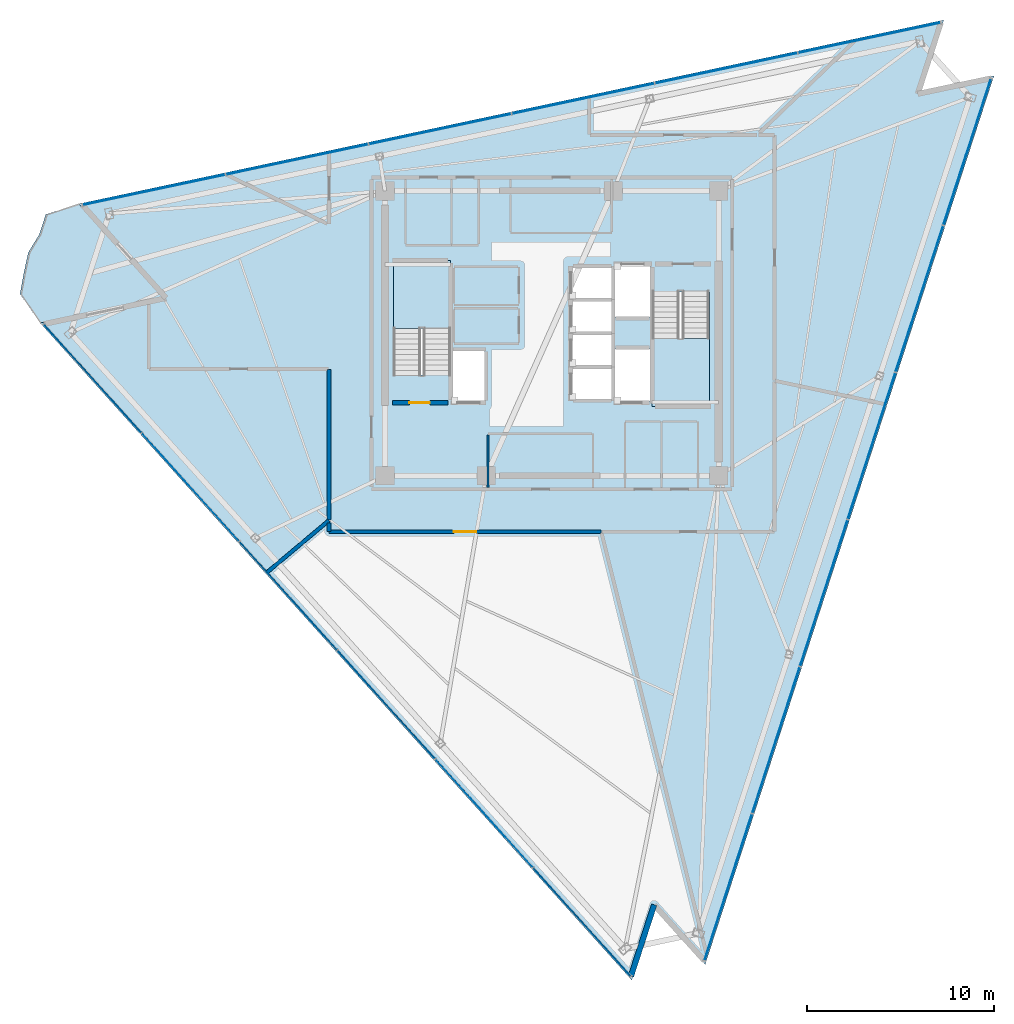
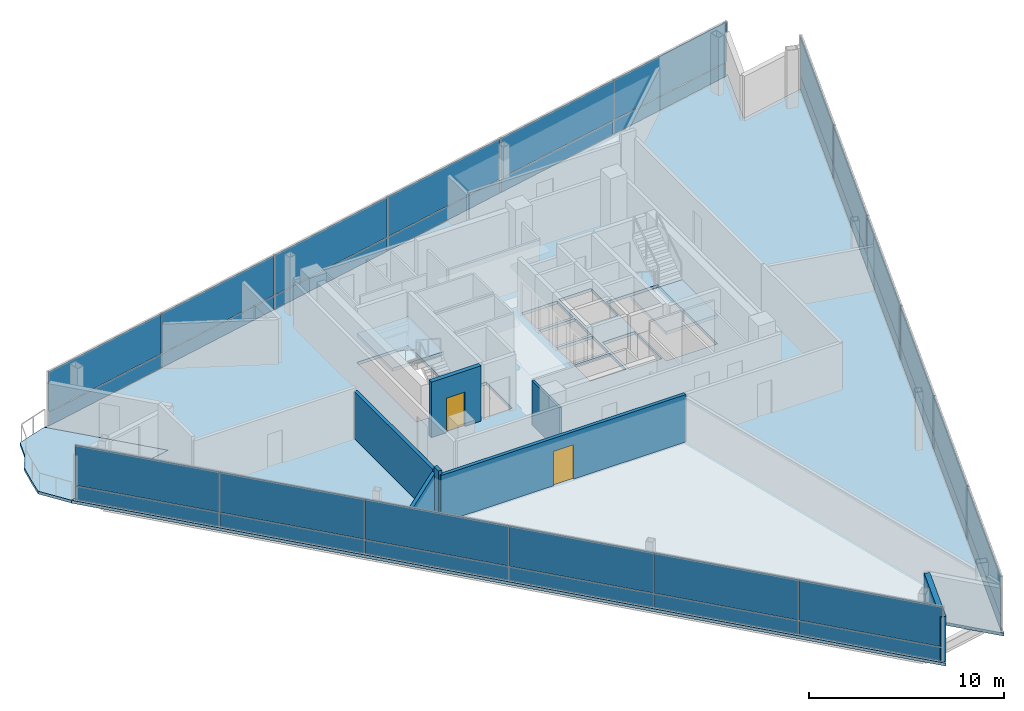
# One storey, part 9 of 15: 36 plates, 7 walls, 4 slabs, 2 doors, 2 openings, 5 elements without a shape of their own.
"""IFC4 building model written with IfcOpenShell, lengths in metres."""

from ifc_helpers import new_model, si_unit, direction, frame, frame_2d, origin, origin_2d, place, context, subcontext, project, spatial, polyline, rectangle, outline, extrude, material, layer, layer_set, type_object, element, fill, aggregate, save


model = new_model("IFC4")

# Units and contexts
model_context = context("Model", 3, precision=1e-05, world=origin(), true_north=direction((0.0, 1.0)))
body_context = subcontext(model_context, "Body", "Model", "MODEL_VIEW")
ifc_project = project(units=[si_unit("LENGTHUNIT", "METRE"), si_unit("AREAUNIT", "SQUARE_METRE"), si_unit("VOLUMEUNIT", "CUBIC_METRE"), si_unit("PLANEANGLEUNIT", "RADIAN"), si_unit("MASSUNIT", "GRAM", prefix="KILO")], contexts=[model_context])

# Site, building, storey
site_placement = place(None, origin())
site = spatial("IfcSite", under=ifc_project, at=site_placement, CompositionType="ELEMENT")
building_placement = place(site_placement, origin())
building = spatial("IfcBuilding", under=site, at=building_placement, Name="Tharavind Bronze Gate", CompositionType="ELEMENT")
storey_placement = place(building_placement, frame((0.0, 0.0, 283.39990234375)))
storey = spatial("IfcBuildingStorey", under=building, at=storey_placement, Name="L73", CompositionType="ELEMENT", Elevation=283.39990234375)

# Curtain wall, plates
ifc_material_1 = material(Name="Anodised Bronze Aluminium", Category="aluminium")
ifc_layer_1 = layer(ifc_material_1, 0.219970703125)
ifc_layer_set_1 = layer_set([ifc_layer_1], Name="Anodised Bronze Aluminium")
curtain_wall_type = type_object("IfcCurtainWallType", Name="UNITISED CURTAIN WALL CROWN", PredefinedType="USERDEFINED", material=ifc_layer_set_1)
curtain_wall_1_placement = place(storey_placement, origin())
curtain_wall_1 = element("IfcCurtainWall", 1, at=curtain_wall_1_placement, inside=storey, type_object=curtain_wall_type, Name="L73 unitised curtain wall crown CW-L73-S1", ObjectType="UNITISED CURTAIN WALL", PredefinedType="USERDEFINED")
ifc_material_2 = material(Name="Patinated Bronze Alloy Sheet", Category="bronze")
ifc_layer_2 = layer(ifc_material_2, 0.01611328125)
ifc_layer_set_2 = layer_set([ifc_layer_2], Name="Patinated Bronze Alloy Sheet")
plate_type_1 = type_object("IfcPlateType", Name="BRONZE SPANDREL CLADDING PANEL 16", PredefinedType="CURTAIN_PANEL", material=ifc_layer_set_2)
plate_1_placement = place(storey_placement, frame((-24.494873046875, -2.404052734375, 0.02685546875), z_axis=(0.0, 0.0, 1.0), x_axis=(0.669130606359, -0.743144825477, 0.0)))
plate_1 = element("IfcPlate", 2, at=plate_1_placement, type_object=plate_type_1, Name="CW-L73-S1 bronze spandrel panel 1", PredefinedType="CURTAIN_PANEL", context=body_context, shape_type="SweptSolid", body=[
    extrude(rectangle(XDim=7.749755859375, YDim=0.01611328125, at=origin_2d()), origin(), (0.0, 0.0, 1.0), 0.846923828125),
])
plate_2_placement = place(storey_placement, frame((-19.273681640625, -8.20263671875, 0.02685546875), z_axis=(0.0, 0.0, 1.0), x_axis=(0.669130606359, -0.743144825477, 0.0)))
plate_2 = element("IfcPlate", 3, at=plate_2_placement, type_object=plate_type_1, Name="CW-L73-S1 bronze spandrel panel 2", PredefinedType="CURTAIN_PANEL", context=body_context, shape_type="SweptSolid", body=[
    extrude(rectangle(XDim=7.749755859375, YDim=0.01611328125, at=origin_2d()), origin(), (0.0, 0.0, 1.0), 0.846923828125),
])
plate_3_placement = place(storey_placement, frame((-14.052734375, -14.001220703125, 0.02685546875), z_axis=(0.0, 0.0, 1.0), x_axis=(0.669130606359, -0.743144825477, 0.0)))
plate_3 = element("IfcPlate", 4, at=plate_3_placement, type_object=plate_type_1, Name="CW-L73-S1 bronze spandrel panel 3", PredefinedType="CURTAIN_PANEL", context=body_context, shape_type="SweptSolid", body=[
    extrude(rectangle(XDim=7.749755859375, YDim=0.01611328125, at=origin_2d()), origin(), (0.0, 0.0, 1.0), 0.846923828125),
])
plate_4_placement = place(storey_placement, frame((-8.831787109375, -19.7998046875, 0.02685546875), z_axis=(0.0, 0.0, 1.0), x_axis=(0.669130606359, -0.743144825477, 0.0)))
plate_4 = element("IfcPlate", 5, at=plate_4_placement, type_object=plate_type_1, Name="CW-L73-S1 bronze spandrel panel 4", PredefinedType="CURTAIN_PANEL", context=body_context, shape_type="SweptSolid", body=[
    extrude(rectangle(XDim=7.749755859375, YDim=0.01611328125, at=origin_2d()), origin(), (0.0, 0.0, 1.0), 0.846923828125),
])
plate_5_placement = place(storey_placement, frame((-3.610595703125, -25.59814453125, 0.02685546875), z_axis=(0.0, 0.0, 1.0), x_axis=(0.669130606359, -0.743144825477, 0.0)))
plate_5 = element("IfcPlate", 6, at=plate_5_placement, type_object=plate_type_1, Name="CW-L73-S1 bronze spandrel panel 5", PredefinedType="CURTAIN_PANEL", context=body_context, shape_type="SweptSolid", body=[
    extrude(rectangle(XDim=7.749755859375, YDim=0.01611328125, at=origin_2d()), origin(), (0.0, 0.0, 1.0), 0.846923828125),
])
plate_6_placement = place(storey_placement, frame((1.6103515625, -31.396728515625, 0.02685546875), z_axis=(0.0, 0.0, 1.0), x_axis=(0.669130606359, -0.743144825477, 0.0)))
plate_6 = element("IfcPlate", 7, at=plate_6_placement, type_object=plate_type_1, Name="CW-L73-S1 bronze spandrel panel 6", PredefinedType="CURTAIN_PANEL", context=body_context, shape_type="SweptSolid", body=[
    extrude(rectangle(XDim=7.749755859375, YDim=0.01611328125, at=origin_2d()), origin(), (0.0, 0.0, 1.0), 0.846923828125),
])

curtain_wall_2_placement = place(storey_placement, origin())
curtain_wall_2 = element("IfcCurtainWall", 8, at=curtain_wall_2_placement, inside=storey, type_object=curtain_wall_type, Name="L73 unitised curtain wall crown CW-L73-S2", ObjectType="UNITISED CURTAIN WALL", PredefinedType="USERDEFINED")
plate_7_placement = place(storey_placement, frame((9.41552734375, -29.54052734375, 0.02685546875), z_axis=(0.0, 0.0, 1.0), x_axis=(0.309016994375, 0.951056516295, 0.0)))
plate_7 = element("IfcPlate", 9, at=plate_7_placement, type_object=plate_type_1, Name="CW-L73-S2 bronze spandrel panel 1", PredefinedType="CURTAIN_PANEL", context=body_context, shape_type="SweptSolid", body=[
    extrude(rectangle(XDim=8.195068359375, YDim=0.01611328125, at=origin_2d()), origin(), (0.0, 0.0, 1.0), 0.846923828125),
])
plate_8_placement = place(storey_placement, frame((11.96435546875, -21.6962890625, 0.02685546875), z_axis=(0.0, 0.0, 1.0), x_axis=(0.309016994375, 0.951056516295, 0.0)))
plate_8 = element("IfcPlate", 10, at=plate_8_placement, type_object=plate_type_1, Name="CW-L73-S2 bronze spandrel panel 2", PredefinedType="CURTAIN_PANEL", context=body_context, shape_type="SweptSolid", body=[
    extrude(rectangle(XDim=8.195068359375, YDim=0.01611328125, at=origin_2d()), origin(), (0.0, 0.0, 1.0), 0.846923828125),
])
plate_9_placement = place(storey_placement, frame((14.51318359375, -13.851806640625, 0.02685546875), z_axis=(0.0, 0.0, 1.0), x_axis=(0.309016994375, 0.951056516295, 0.0)))
plate_9 = element("IfcPlate", 11, at=plate_9_placement, type_object=plate_type_1, Name="CW-L73-S2 bronze spandrel panel 3", PredefinedType="CURTAIN_PANEL", context=body_context, shape_type="SweptSolid", body=[
    extrude(rectangle(XDim=8.195068359375, YDim=0.01611328125, at=origin_2d()), origin(), (0.0, 0.0, 1.0), 0.846923828125),
])
plate_10_placement = place(storey_placement, frame((17.06201171875, -6.007568359375, 0.02685546875), z_axis=(0.0, 0.0, 1.0), x_axis=(0.309016994375, 0.951056516295, 0.0)))
plate_10 = element("IfcPlate", 12, at=plate_10_placement, type_object=plate_type_1, Name="CW-L73-S2 bronze spandrel panel 4", PredefinedType="CURTAIN_PANEL", context=body_context, shape_type="SweptSolid", body=[
    extrude(rectangle(XDim=8.195068359375, YDim=0.01611328125, at=origin_2d()), origin(), (0.0, 0.0, 1.0), 0.846923828125),
])
plate_11_placement = place(storey_placement, frame((19.610595703125, 1.8369140625, 0.02685546875), z_axis=(0.0, 0.0, 1.0), x_axis=(0.309016994375, 0.951056516295, 0.0)))
plate_11 = element("IfcPlate", 13, at=plate_11_placement, type_object=plate_type_1, Name="CW-L73-S2 bronze spandrel panel 5", PredefinedType="CURTAIN_PANEL", context=body_context, shape_type="SweptSolid", body=[
    extrude(rectangle(XDim=8.195068359375, YDim=0.01611328125, at=origin_2d()), origin(), (0.0, 0.0, 1.0), 0.846923828125),
])
plate_12_placement = place(storey_placement, frame((22.159423828125, 9.68115234375, 0.02685546875), z_axis=(0.0, 0.0, 1.0), x_axis=(0.309016994375, 0.951056516295, 0.0)))
plate_12 = element("IfcPlate", 14, at=plate_12_placement, type_object=plate_type_1, Name="CW-L73-S2 bronze spandrel panel 6", PredefinedType="CURTAIN_PANEL", context=body_context, shape_type="SweptSolid", body=[
    extrude(rectangle(XDim=8.195068359375, YDim=0.01611328125, at=origin_2d()), origin(), (0.0, 0.0, 1.0), 0.846923828125),
])

curtain_wall_3_placement = place(storey_placement, origin())
curtain_wall_3 = element("IfcCurtainWall", 15, at=curtain_wall_3_placement, inside=storey, type_object=curtain_wall_type, Name="L73 unitised curtain wall crown CW-L73-S3", ObjectType="UNITISED CURTAIN WALL", PredefinedType="USERDEFINED")
plate_13_placement = place(storey_placement, frame((16.935791015625, 15.770751953125, 0.02685546875), z_axis=(0.0, 0.0, 1.0), x_axis=(-0.978147237858, -0.207913398007, 0.0)))
plate_13 = element("IfcPlate", 16, at=plate_13_placement, type_object=plate_type_1, Name="CW-L73-S3 bronze spandrel panel 1", PredefinedType="CURTAIN_PANEL", context=body_context, shape_type="SweptSolid", body=[
    extrude(rectangle(XDim=7.749755859375, YDim=0.01611328125, at=origin_2d()), origin(), (0.0, 0.0, 1.0), 0.846923828125),
])
plate_14_placement = place(storey_placement, frame((9.3037109375, 14.1484375, 0.02685546875), z_axis=(0.0, 0.0, 1.0), x_axis=(-0.978147237858, -0.207913398007, 0.0)))
plate_14 = element("IfcPlate", 17, at=plate_14_placement, type_object=plate_type_1, Name="CW-L73-S3 bronze spandrel panel 2", PredefinedType="CURTAIN_PANEL", context=body_context, shape_type="SweptSolid", body=[
    extrude(rectangle(XDim=7.749755859375, YDim=0.01611328125, at=origin_2d()), origin(), (0.0, 0.0, 1.0), 0.846923828125),
])
plate_15_placement = place(storey_placement, frame((1.67138671875, 12.526123046875, 0.02685546875), z_axis=(0.0, 0.0, 1.0), x_axis=(-0.978147237858, -0.207913398007, 0.0)))
plate_15 = element("IfcPlate", 18, at=plate_15_placement, type_object=plate_type_1, Name="CW-L73-S3 bronze spandrel panel 3", PredefinedType="CURTAIN_PANEL", context=body_context, shape_type="SweptSolid", body=[
    extrude(rectangle(XDim=7.749755859375, YDim=0.01611328125, at=origin_2d()), origin(), (0.0, 0.0, 1.0), 0.846923828125),
])
plate_16_placement = place(storey_placement, frame((-5.960693359375, 10.90380859375, 0.02685546875), z_axis=(0.0, 0.0, 1.0), x_axis=(-0.978147237858, -0.207913398007, 0.0)))
plate_16 = element("IfcPlate", 19, at=plate_16_placement, type_object=plate_type_1, Name="CW-L73-S3 bronze spandrel panel 4", PredefinedType="CURTAIN_PANEL", context=body_context, shape_type="SweptSolid", body=[
    extrude(rectangle(XDim=7.749755859375, YDim=0.01611328125, at=origin_2d()), origin(), (0.0, 0.0, 1.0), 0.846923828125),
])
plate_17_placement = place(storey_placement, frame((-13.5927734375, 9.281494140625, 0.02685546875), z_axis=(0.0, 0.0, 1.0), x_axis=(-0.978147237858, -0.207913398007, 0.0)))
plate_17 = element("IfcPlate", 20, at=plate_17_placement, type_object=plate_type_1, Name="CW-L73-S3 bronze spandrel panel 5", PredefinedType="CURTAIN_PANEL", context=body_context, shape_type="SweptSolid", body=[
    extrude(rectangle(XDim=7.749755859375, YDim=0.01611328125, at=origin_2d()), origin(), (0.0, 0.0, 1.0), 0.846923828125),
])
plate_18_placement = place(storey_placement, frame((-21.22509765625, 7.6591796875, 0.02685546875), z_axis=(0.0, 0.0, 1.0), x_axis=(-0.978147237858, -0.207913398007, 0.0)))
plate_18 = element("IfcPlate", 21, at=plate_18_placement, type_object=plate_type_1, Name="CW-L73-S3 bronze spandrel panel 6", PredefinedType="CURTAIN_PANEL", context=body_context, shape_type="SweptSolid", body=[
    extrude(rectangle(XDim=7.749755859375, YDim=0.01611328125, at=origin_2d()), origin(), (0.0, 0.0, 1.0), 0.846923828125),
])

# Slab
ifc_material_3 = material(Name="Concrete C40/50", Category="concrete")
ifc_layer_3 = layer(ifc_material_3, 0.175048828125)
ifc_layer_set_3 = layer_set([ifc_layer_3], Name="Concrete C40/50")
slab_type_1 = type_object("IfcSlabType", Name="EXTERIOR BALCONY SLAB 175", PredefinedType="FLOOR", material=ifc_layer_set_3)
slab_1_placement = place(storey_placement, frame((0.0, 0.0, -0.1748046875)))
element("IfcSlab", 22, at=slab_1_placement, inside=storey, type_object=slab_type_1, Name="L73 northeast tree balcony slab", PredefinedType="FLOOR", context=body_context, shape_type="SweptSolid", body=[
    extrude(outline(polyline([(-26.992431640625, 6.34375), (-27.33642578125, 5.284912109375), (-27.927978515625, 4.306396484375), (-28.1650390625, 3.212890625), (-28.36865234375, 2.1083984375), (-27.29541015625, 0.556884765625), (-20.761474609375, 1.94580078125), (-25.231201171875, 6.909912109375), (-26.992431640625, 6.34375)])), origin(), (0.0, 0.0, 1.0), 0.1748046875),
])

# Stair, slab
stair_type = type_object("IfcStairType", Name="CORE HALF TURN STAIR 1450", PredefinedType="HALF_TURN_STAIR", material=ifc_material_3)
stair_1_placement = place(storey_placement, origin())
stair_1 = element("IfcStair", 23, at=stair_1_placement, inside=storey, type_object=stair_type, Name="L73 Protected Exit Stair ST1", PredefinedType="HALF_TURN_STAIR")
ifc_layer_4 = layer(ifc_material_3, 0.199951171875)
ifc_layer_set_4 = layer_set([ifc_layer_4], Name="Concrete C40/50")
slab_type_2 = type_object("IfcSlabType", Name="STAIR LANDING SLAB 200", PredefinedType="LANDING", material=ifc_layer_set_4)
slab_2_placement = place(storey_placement, frame((0.0, 0.0, 1.625)))
slab_2 = element("IfcSlab", 24, at=slab_2_placement, type_object=slab_type_2, Name="ST1 landing 1", PredefinedType="LANDING", context=body_context, shape_type="SweptSolid", body=[
    extrude(outline(polyline([(-5.39990234375, 0.27001953125), (-5.39990234375, 3.89990234375), (-8.449951171875, 3.89990234375), (-8.449951171875, 0.27001953125), (-5.39990234375, 0.27001953125)])), origin(), (0.0, 0.0, 1.0), 0.2001953125),
])
aggregate(stair_1, [slab_2])

stair_2_placement = place(storey_placement, origin())
stair_2 = element("IfcStair", 25, at=stair_2_placement, inside=storey, type_object=stair_type, Name="L73 Protected Exit Stair ST2", PredefinedType="HALF_TURN_STAIR")
slab_3_placement = place(storey_placement, frame((0.0, 0.0, 1.625)))
slab_3 = element("IfcSlab", 26, at=slab_3_placement, type_object=slab_type_2, Name="ST2 landing 1", PredefinedType="LANDING", context=body_context, shape_type="SweptSolid", body=[
    extrude(outline(polyline([(5.35009765625, -0.27001953125), (5.35009765625, -3.89990234375), (8.39990234375, -3.89990234375), (8.39990234375, -0.27001953125), (5.35009765625, -0.27001953125)])), origin(), (0.0, 0.0, 1.0), 0.2001953125),
])
aggregate(stair_2, [slab_3])

# Slab
ifc_layer_5 = layer(ifc_material_3, 0.18505859375)
ifc_layer_set_5 = layer_set([ifc_layer_5], Name="Concrete C40/50")
slab_type_3 = type_object("IfcSlabType", Name="STRUCTURAL FLOOR SLAB 185", PredefinedType="FLOOR", material=ifc_layer_set_5)
slab_4_placement = place(storey_placement, frame((0.0, 0.0, -0.184814453125)))
element("IfcSlab", 27, at=slab_4_placement, inside=storey, type_object=slab_type_3, Name="L73 main structural floor slab", PredefinedType="FLOOR", context=body_context, shape_type="SweptSolid", body=[
    extrude(outline(polyline([(-25.231201171875, 6.909912109375), (-20.761474609375, 1.94580078125), (-27.29541015625, 0.556884765625), (4.262451171875, -34.49169921875), (5.5009765625, -30.6796875), (8.182861328125, -33.658203125), (23.58251953125, 13.737060546875), (19.662109375, 12.90380859375), (20.900634765625, 16.7158203125), (-25.231201171875, 6.909912109375)]), holes=[polyline([(-5.39990234375, -2.215087890625), (-5.39990234375, 3.89990234375), (-8.449951171875, 3.89990234375), (-8.449951171875, -2.215087890625), (-5.39990234375, -2.215087890625)]), polyline([(5.35009765625, 2.215087890625), (5.35009765625, -3.89990234375), (8.39990234375, -3.89990234375), (8.39990234375, 2.215087890625), (5.35009765625, 2.215087890625)]), polyline([(1.080078125, -3.52001953125), (3.199951171875, -3.52001953125), (3.199951171875, -1.8798828125), (1.080078125, -1.8798828125), (1.080078125, -3.52001953125)]), polyline([(1.080078125, -1.719970703125), (3.199951171875, -1.719970703125), (3.199951171875, -0.080078125), (1.080078125, -0.080078125), (1.080078125, -1.719970703125)]), polyline([(1.080078125, 0.080078125), (3.199951171875, 0.080078125), (3.199951171875, 1.719970703125), (1.080078125, 1.719970703125), (1.080078125, 0.080078125)]), polyline([(1.080078125, 1.8798828125), (3.199951171875, 1.8798828125), (3.199951171875, 3.52001953125), (1.080078125, 3.52001953125), (1.080078125, 1.8798828125)]), polyline([(-5.320068359375, -3.6201171875), (-3.580078125, -3.6201171875), (-3.580078125, -0.929931640625), (-5.320068359375, -0.929931640625), (-5.320068359375, -3.6201171875)]), polyline([(3.360107421875, 0.8798828125), (5.27001953125, 0.8798828125), (5.27001953125, 3.6201171875), (3.360107421875, 3.6201171875), (3.360107421875, 0.8798828125)]), polyline([(3.360107421875, -3.6201171875), (5.27001953125, -3.6201171875), (5.27001953125, -0.830078125), (3.360107421875, -0.830078125), (3.360107421875, -3.6201171875)])]), origin(), (0.0, 0.0, 1.0), 0.184814453125),
])

# Plate
ifc_material_4 = material(Name="Triple Solar Control Glazing", Category="glass")
ifc_layer_6 = layer(ifc_material_4, 0.0439453125)
ifc_layer_set_6 = layer_set([ifc_layer_6], Name="Triple Solar Control Glazing")
plate_type_2 = type_object("IfcPlateType", Name="TRIPLE GLAZED FACADE PANEL 44", PredefinedType="CURTAIN_PANEL", material=ifc_layer_set_6)
plate_19_placement = place(storey_placement, frame((-24.494873046875, -2.404052734375, 0.9267578125), z_axis=(0.0, 0.0, 1.0), x_axis=(0.669130606359, -0.743144825477, 0.0)))
plate_19 = element("IfcPlate", 28, at=plate_19_placement, type_object=plate_type_2, Name="CW-L73-S1 vision glazing panel 1", PredefinedType="CURTAIN_PANEL", context=body_context, shape_type="SweptSolid", body=[
    extrude(rectangle(XDim=7.749755859375, YDim=0.0439453125, at=origin_2d()), origin(), (0.0, 0.0, 1.0), 2.511962890625),
])

plate_20_placement = place(storey_placement, frame((-19.273681640625, -8.20263671875, 0.9267578125), z_axis=(0.0, 0.0, 1.0), x_axis=(0.669130606359, -0.743144825477, 0.0)))
plate_20 = element("IfcPlate", 29, at=plate_20_placement, type_object=plate_type_2, Name="CW-L73-S1 vision glazing panel 2", PredefinedType="CURTAIN_PANEL", context=body_context, shape_type="SweptSolid", body=[
    extrude(rectangle(XDim=7.749755859375, YDim=0.0439453125, at=origin_2d()), origin(), (0.0, 0.0, 1.0), 2.511962890625),
])

plate_21_placement = place(storey_placement, frame((-14.052734375, -14.001220703125, 0.9267578125), z_axis=(0.0, 0.0, 1.0), x_axis=(0.669130606359, -0.743144825477, 0.0)))
plate_21 = element("IfcPlate", 30, at=plate_21_placement, type_object=plate_type_2, Name="CW-L73-S1 vision glazing panel 3", PredefinedType="CURTAIN_PANEL", context=body_context, shape_type="SweptSolid", body=[
    extrude(rectangle(XDim=7.749755859375, YDim=0.0439453125, at=origin_2d()), origin(), (0.0, 0.0, 1.0), 2.511962890625),
])

plate_22_placement = place(storey_placement, frame((-8.831787109375, -19.7998046875, 0.9267578125), z_axis=(0.0, 0.0, 1.0), x_axis=(0.669130606359, -0.743144825477, 0.0)))
plate_22 = element("IfcPlate", 31, at=plate_22_placement, type_object=plate_type_2, Name="CW-L73-S1 vision glazing panel 4", PredefinedType="CURTAIN_PANEL", context=body_context, shape_type="SweptSolid", body=[
    extrude(rectangle(XDim=7.749755859375, YDim=0.0439453125, at=origin_2d()), origin(), (0.0, 0.0, 1.0), 2.511962890625),
])

plate_23_placement = place(storey_placement, frame((-3.610595703125, -25.59814453125, 0.9267578125), z_axis=(0.0, 0.0, 1.0), x_axis=(0.669130606359, -0.743144825477, 0.0)))
plate_23 = element("IfcPlate", 32, at=plate_23_placement, type_object=plate_type_2, Name="CW-L73-S1 vision glazing panel 5", PredefinedType="CURTAIN_PANEL", context=body_context, shape_type="SweptSolid", body=[
    extrude(rectangle(XDim=7.749755859375, YDim=0.0439453125, at=origin_2d()), origin(), (0.0, 0.0, 1.0), 2.511962890625),
])

plate_24_placement = place(storey_placement, frame((1.6103515625, -31.396728515625, 0.9267578125), z_axis=(0.0, 0.0, 1.0), x_axis=(0.669130606359, -0.743144825477, 0.0)))
plate_24 = element("IfcPlate", 33, at=plate_24_placement, type_object=plate_type_2, Name="CW-L73-S1 vision glazing panel 6", PredefinedType="CURTAIN_PANEL", context=body_context, shape_type="SweptSolid", body=[
    extrude(rectangle(XDim=7.749755859375, YDim=0.0439453125, at=origin_2d()), origin(), (0.0, 0.0, 1.0), 2.511962890625),
])

aggregate(curtain_wall_1, [plate_1, plate_19, plate_2, plate_20, plate_3, plate_21, plate_4, plate_22, plate_5, plate_23, plate_6, plate_24])

plate_25_placement = place(storey_placement, frame((9.41552734375, -29.54052734375, 0.9267578125), z_axis=(0.0, 0.0, 1.0), x_axis=(0.309016994375, 0.951056516295, 0.0)))
plate_25 = element("IfcPlate", 34, at=plate_25_placement, type_object=plate_type_2, Name="CW-L73-S2 vision glazing panel 1", PredefinedType="CURTAIN_PANEL", context=body_context, shape_type="SweptSolid", body=[
    extrude(rectangle(XDim=8.195068359375, YDim=0.0439453125, at=origin_2d()), origin(), (0.0, 0.0, 1.0), 2.511962890625),
])

plate_26_placement = place(storey_placement, frame((11.96435546875, -21.6962890625, 0.9267578125), z_axis=(0.0, 0.0, 1.0), x_axis=(0.309016994375, 0.951056516295, 0.0)))
plate_26 = element("IfcPlate", 35, at=plate_26_placement, type_object=plate_type_2, Name="CW-L73-S2 vision glazing panel 2", PredefinedType="CURTAIN_PANEL", context=body_context, shape_type="SweptSolid", body=[
    extrude(rectangle(XDim=8.195068359375, YDim=0.0439453125, at=origin_2d()), origin(), (0.0, 0.0, 1.0), 2.511962890625),
])

plate_27_placement = place(storey_placement, frame((14.51318359375, -13.851806640625, 0.9267578125), z_axis=(0.0, 0.0, 1.0), x_axis=(0.309016994375, 0.951056516295, 0.0)))
plate_27 = element("IfcPlate", 36, at=plate_27_placement, type_object=plate_type_2, Name="CW-L73-S2 vision glazing panel 3", PredefinedType="CURTAIN_PANEL", context=body_context, shape_type="SweptSolid", body=[
    extrude(rectangle(XDim=8.195068359375, YDim=0.0439453125, at=origin_2d()), origin(), (0.0, 0.0, 1.0), 2.511962890625),
])

plate_28_placement = place(storey_placement, frame((17.06201171875, -6.007568359375, 0.9267578125), z_axis=(0.0, 0.0, 1.0), x_axis=(0.309016994375, 0.951056516295, 0.0)))
plate_28 = element("IfcPlate", 37, at=plate_28_placement, type_object=plate_type_2, Name="CW-L73-S2 vision glazing panel 4", PredefinedType="CURTAIN_PANEL", context=body_context, shape_type="SweptSolid", body=[
    extrude(rectangle(XDim=8.195068359375, YDim=0.0439453125, at=origin_2d()), origin(), (0.0, 0.0, 1.0), 2.511962890625),
])

plate_29_placement = place(storey_placement, frame((19.610595703125, 1.8369140625, 0.9267578125), z_axis=(0.0, 0.0, 1.0), x_axis=(0.309016994375, 0.951056516295, 0.0)))
plate_29 = element("IfcPlate", 38, at=plate_29_placement, type_object=plate_type_2, Name="CW-L73-S2 vision glazing panel 5", PredefinedType="CURTAIN_PANEL", context=body_context, shape_type="SweptSolid", body=[
    extrude(rectangle(XDim=8.195068359375, YDim=0.0439453125, at=origin_2d()), origin(), (0.0, 0.0, 1.0), 2.511962890625),
])

plate_30_placement = place(storey_placement, frame((22.159423828125, 9.68115234375, 0.9267578125), z_axis=(0.0, 0.0, 1.0), x_axis=(0.309016994375, 0.951056516295, 0.0)))
plate_30 = element("IfcPlate", 39, at=plate_30_placement, type_object=plate_type_2, Name="CW-L73-S2 vision glazing panel 6", PredefinedType="CURTAIN_PANEL", context=body_context, shape_type="SweptSolid", body=[
    extrude(rectangle(XDim=8.195068359375, YDim=0.0439453125, at=origin_2d()), origin(), (0.0, 0.0, 1.0), 2.511962890625),
])

aggregate(curtain_wall_2, [plate_7, plate_25, plate_8, plate_26, plate_9, plate_27, plate_10, plate_28, plate_11, plate_29, plate_12, plate_30])

plate_31_placement = place(storey_placement, frame((16.935791015625, 15.770751953125, 0.9267578125), z_axis=(0.0, 0.0, 1.0), x_axis=(-0.978147237858, -0.207913398007, 0.0)))
plate_31 = element("IfcPlate", 40, at=plate_31_placement, type_object=plate_type_2, Name="CW-L73-S3 vision glazing panel 1", PredefinedType="CURTAIN_PANEL", context=body_context, shape_type="SweptSolid", body=[
    extrude(rectangle(XDim=7.749755859375, YDim=0.0439453125, at=origin_2d()), origin(), (0.0, 0.0, 1.0), 2.511962890625),
])

plate_32_placement = place(storey_placement, frame((9.3037109375, 14.1484375, 0.9267578125), z_axis=(0.0, 0.0, 1.0), x_axis=(-0.978147237858, -0.207913398007, 0.0)))
plate_32 = element("IfcPlate", 41, at=plate_32_placement, type_object=plate_type_2, Name="CW-L73-S3 vision glazing panel 2", PredefinedType="CURTAIN_PANEL", context=body_context, shape_type="SweptSolid", body=[
    extrude(rectangle(XDim=7.749755859375, YDim=0.0439453125, at=origin_2d()), origin(), (0.0, 0.0, 1.0), 2.511962890625),
])

plate_33_placement = place(storey_placement, frame((1.67138671875, 12.526123046875, 0.9267578125), z_axis=(0.0, 0.0, 1.0), x_axis=(-0.978147237858, -0.207913398007, 0.0)))
plate_33 = element("IfcPlate", 42, at=plate_33_placement, type_object=plate_type_2, Name="CW-L73-S3 vision glazing panel 3", PredefinedType="CURTAIN_PANEL", context=body_context, shape_type="SweptSolid", body=[
    extrude(rectangle(XDim=7.749755859375, YDim=0.0439453125, at=origin_2d()), origin(), (0.0, 0.0, 1.0), 2.511962890625),
])

plate_34_placement = place(storey_placement, frame((-5.960693359375, 10.90380859375, 0.9267578125), z_axis=(0.0, 0.0, 1.0), x_axis=(-0.978147237858, -0.207913398007, 0.0)))
plate_34 = element("IfcPlate", 43, at=plate_34_placement, type_object=plate_type_2, Name="CW-L73-S3 vision glazing panel 4", PredefinedType="CURTAIN_PANEL", context=body_context, shape_type="SweptSolid", body=[
    extrude(rectangle(XDim=7.749755859375, YDim=0.0439453125, at=origin_2d()), origin(), (0.0, 0.0, 1.0), 2.511962890625),
])

plate_35_placement = place(storey_placement, frame((-13.5927734375, 9.281494140625, 0.9267578125), z_axis=(0.0, 0.0, 1.0), x_axis=(-0.978147237858, -0.207913398007, 0.0)))
plate_35 = element("IfcPlate", 44, at=plate_35_placement, type_object=plate_type_2, Name="CW-L73-S3 vision glazing panel 5", PredefinedType="CURTAIN_PANEL", context=body_context, shape_type="SweptSolid", body=[
    extrude(rectangle(XDim=7.749755859375, YDim=0.0439453125, at=origin_2d()), origin(), (0.0, 0.0, 1.0), 2.511962890625),
])

plate_36_placement = place(storey_placement, frame((-21.22509765625, 7.6591796875, 0.9267578125), z_axis=(0.0, 0.0, 1.0), x_axis=(-0.978147237858, -0.207913398007, 0.0)))
plate_36 = element("IfcPlate", 45, at=plate_36_placement, type_object=plate_type_2, Name="CW-L73-S3 vision glazing panel 6", PredefinedType="CURTAIN_PANEL", context=body_context, shape_type="SweptSolid", body=[
    extrude(rectangle(XDim=7.749755859375, YDim=0.0439453125, at=origin_2d()), origin(), (0.0, 0.0, 1.0), 2.511962890625),
])

aggregate(curtain_wall_3, [plate_13, plate_31, plate_14, plate_32, plate_15, plate_33, plate_16, plate_34, plate_17, plate_35, plate_18, plate_36])

# Walls
ifc_layer_7 = layer(ifc_material_3, 0.300048828125)
ifc_layer_set_7 = layer_set([ifc_layer_7], Name="Concrete C40/50")
wall_type_1 = type_object("IfcWallType", Name="EXTERIOR SPANDREL WALL 300", PredefinedType="STANDARD", material=ifc_layer_set_7)
wall_1_placement = place(storey_placement, frame((4.220703125, -34.2958984375, 0.0), z_axis=(0.0, 0.0, 1.0), x_axis=(0.309018580232, 0.951056001018, 0.0)))
element("IfcWall", 46, at=wall_1_placement, inside=storey, type_object=wall_type_1, Name="L73 notch cheek wall 2A", PredefinedType="STANDARD", context=body_context, shape_type="SweptSolid", body=[
    extrude(rectangle(XDim=4.0078125, YDim=0.300048828125, at=frame_2d((2.00390625, 0.0))), origin(), (0.0, 0.0, 1.0), 2.81005859375),
])
ifc_material_5 = material(Name="Aerated Concrete Block", Category="concrete")
ifc_layer_8 = layer(ifc_material_5, 0.199951171875)
ifc_layer_set_8 = layer_set([ifc_layer_8], Name="Aerated Concrete Block")
wall_type_2 = type_object("IfcWallType", Name="FIRE RATED PARTITION 200", PredefinedType="PARTITIONING", material=ifc_layer_set_8)
wall_2_placement = place(storey_placement, frame((-11.8798828125, -1.925048828125, 0.0), z_axis=(0.0, 0.0, 1.0), x_axis=(0.0, -1.0, 0.0)))
element("IfcWall", 47, at=wall_2_placement, inside=storey, type_object=wall_type_2, Name="L73 Commercial Tasting Kitchen partition", PredefinedType="PARTITIONING", context=body_context, shape_type="SweptSolid", body=[
    extrude(rectangle(XDim=8.03173828125, YDim=0.199951171875, at=frame_2d((4.015869140625, 0.0))), origin(), (0.0, 0.0, 1.0), 2.960205078125),
])
wall_3_placement = place(storey_placement, frame((-11.888916015625, -9.97607421875, 0.0), z_axis=(0.0, 0.0, 1.0), x_axis=(-0.766051997516, -0.642778606599, 0.0)))
element("IfcWall", 48, at=wall_3_placement, inside=storey, type_object=wall_type_2, Name="L73 Commercial Tasting Kitchen partition", PredefinedType="PARTITIONING", context=body_context, shape_type="SweptSolid", body=[
    extrude(rectangle(XDim=4.27978515625, YDim=0.199951171875, at=frame_2d((2.139892578125, 0.0))), origin(), (0.0, 0.0, 1.0), 2.81005859375),
])

# Wall, opening, door
wall_4_placement = place(storey_placement, frame((-11.87939453125, -10.580078125, 0.0), z_axis=(0.0, 0.0, 1.0), x_axis=(1.0, 0.0, 0.0)))
wall_4 = element("IfcWall", 49, at=wall_4_placement, inside=storey, type_object=wall_type_2, Name="L73 Crown Executive Boardroom partition", PredefinedType="PARTITIONING", context=body_context, shape_type="SweptSolid", body=[
    extrude(rectangle(XDim=14.497802734375, YDim=0.199951171875, at=frame_2d((7.2490234375, 0.0))), origin(), (0.0, 0.0, 1.0), 2.960205078125),
])
opening_1_placement = place(wall_4_placement, frame((6.64892578125, 0.0, 0.0)))
opening_1 = element("IfcOpeningElement", 50, at=opening_1_placement, cuts=wall_4, Name="Opening ID05", PredefinedType="OPENING", context=body_context, shape_type="SweptSolid", body=[
    extrude(rectangle(XDim=1.199951171875, YDim=2.14990234375, at=frame_2d((0.60009765625, 1.074951171875))), frame((0.0, 0.11009765625, 0.0), z_axis=(0.0, -1.0, 0.0), x_axis=(1.0, 0.0, 0.0)), (0.0, 0.0, 1.0), 0.219951171875),
])
ifc_material_6 = material(Name="Acoustic Laminated Glass", Category="glass")
door_type_1 = type_object("IfcDoorType", Name="MEETING ROOM GLAZED DOOR 1200X2150", OperationType="SINGLE_SWING_LEFT", PredefinedType="DOOR", material=ifc_material_6)
door_1_placement = place(opening_1_placement, origin())
door_1 = element("IfcDoor", 51, at=door_1_placement, inside=storey, type_object=door_type_1, Name="L73 Crown Executive Boardroom door", OperationType="SINGLE_SWING_LEFT", OverallHeight=2.14990234375, OverallWidth=1.199951171875, PredefinedType="DOOR", context=body_context, shape_type="SweptSolid", body=[
    extrude(rectangle(XDim=1.199951171875, YDim=2.14990234375, at=frame_2d((0.60009765625, 1.074951171875))), frame((0.0, 0.02490234375, 0.0), z_axis=(0.0, -1.0, 0.0), x_axis=(1.0, 0.0, 0.0)), (0.0, 0.0, 1.0), 0.050048828125),
])
fill(opening_1, door_1)

# Walls
wall_5_placement = place(storey_placement, frame((-11.8798828125, -10.105712890625, 0.0), z_axis=(0.0, 0.0, 1.0), x_axis=(0.0, -1.0, 0.0)))
element("IfcWall", 52, at=wall_5_placement, inside=storey, type_object=wall_type_2, Name="L73 Crown Executive Boardroom partition", PredefinedType="PARTITIONING", context=body_context, shape_type="SweptSolid", body=[
    extrude(rectangle(XDim=0.4736328125, YDim=0.199951171875, at=frame_2d((0.23681640625, 0.0))), origin(), (0.0, 0.0, 1.0), 3.22021484375),
])
ifc_material_7 = material(Name="Metal Stud Gypsum Partition", Category="gypsum")
ifc_layer_9 = layer(ifc_material_7, 0.1201171875)
ifc_layer_set_9 = layer_set([ifc_layer_9], Name="Metal Stud Gypsum Partition")
wall_type_3 = type_object("IfcWallType", Name="INTERIOR PARTITION WALL 120", PredefinedType="PARTITIONING", material=ifc_layer_set_9)
wall_6_placement = place(storey_placement, frame((-3.39990234375, -5.4150390625, 0.0), z_axis=(0.0, 0.0, 1.0), x_axis=(0.0, -1.0, 0.0)))
element("IfcWall", 53, at=wall_6_placement, inside=storey, type_object=wall_type_3, Name="L73 Core BMS Control Room partition 4", PredefinedType="PARTITIONING", context=body_context, shape_type="SweptSolid", body=[
    extrude(rectangle(XDim=2.800048828125, YDim=0.1201171875, at=frame_2d((1.39990234375, 0.0))), origin(), (0.0, 0.0, 1.0), 2.760009765625),
])

# Wall, opening, door
ifc_material_8 = material(Name="Concrete C50/60", Category="concrete")
ifc_layer_10 = layer(ifc_material_8, 0.25)
ifc_layer_set_10 = layer_set([ifc_layer_10], Name="Concrete C50/60")
wall_type_4 = type_object("IfcWallType", Name="RC CORE SHEAR WALL 250", PredefinedType="SHEAR", material=ifc_layer_set_10)
wall_7_placement = place(storey_placement, frame((-8.5, -3.699951171875, 0.0), z_axis=(0.0, 0.0, 1.0), x_axis=(1.0, 0.0, 0.0)))
wall_7 = element("IfcWall", 54, at=wall_7_placement, inside=storey, type_object=wall_type_4, Name="L73 ST1 shaft south wall", PredefinedType="SHEAR", context=body_context, shape_type="SweptSolid", body=[
    extrude(rectangle(XDim=2.949951171875, YDim=0.25, at=frame_2d((1.47509765625, 0.0))), origin(), (0.0, 0.0, 1.0), 3.465087890625),
])
opening_2_placement = place(wall_7_placement, frame((0.89990234375, 0.0, 0.0)))
opening_2 = element("IfcOpeningElement", 55, at=opening_2_placement, cuts=wall_7, Name="Opening ID01", PredefinedType="OPENING", context=body_context, shape_type="SweptSolid", body=[
    extrude(rectangle(XDim=1.10009765625, YDim=2.14990234375, at=frame_2d((0.550048828125, 1.074951171875))), frame((0.0, 0.135, 0.0), z_axis=(0.0, -1.0, 0.0), x_axis=(1.0, 0.0, 0.0)), (0.0, 0.0, 1.0), 0.27),
])
ifc_material_9 = material(Name="Fire-Rated Steel", Category="steel")
door_type_2 = type_object("IfcDoorType", Name="STAIR CORE FIRE DOOR 1100X2150", OperationType="SINGLE_SWING_LEFT", PredefinedType="DOOR", material=ifc_material_9)
door_2_placement = place(opening_2_placement, origin())
door_2 = element("IfcDoor", 56, at=door_2_placement, inside=storey, type_object=door_type_2, Name="L73 exit stair ST1 fire door", OperationType="SINGLE_SWING_LEFT", OverallHeight=2.14990234375, OverallWidth=1.10009765625, PredefinedType="DOOR", context=body_context, shape_type="SweptSolid", body=[
    extrude(rectangle(XDim=1.10009765625, YDim=2.14990234375, at=frame_2d((0.550048828125, 1.074951171875))), frame((0.0, 0.02490234375, 0.0), z_axis=(0.0, -1.0, 0.0), x_axis=(1.0, 0.0, 0.0)), (0.0, 0.0, 1.0), 0.050048828125),
])
fill(opening_2, door_2)

save(model, "model.ifc")
